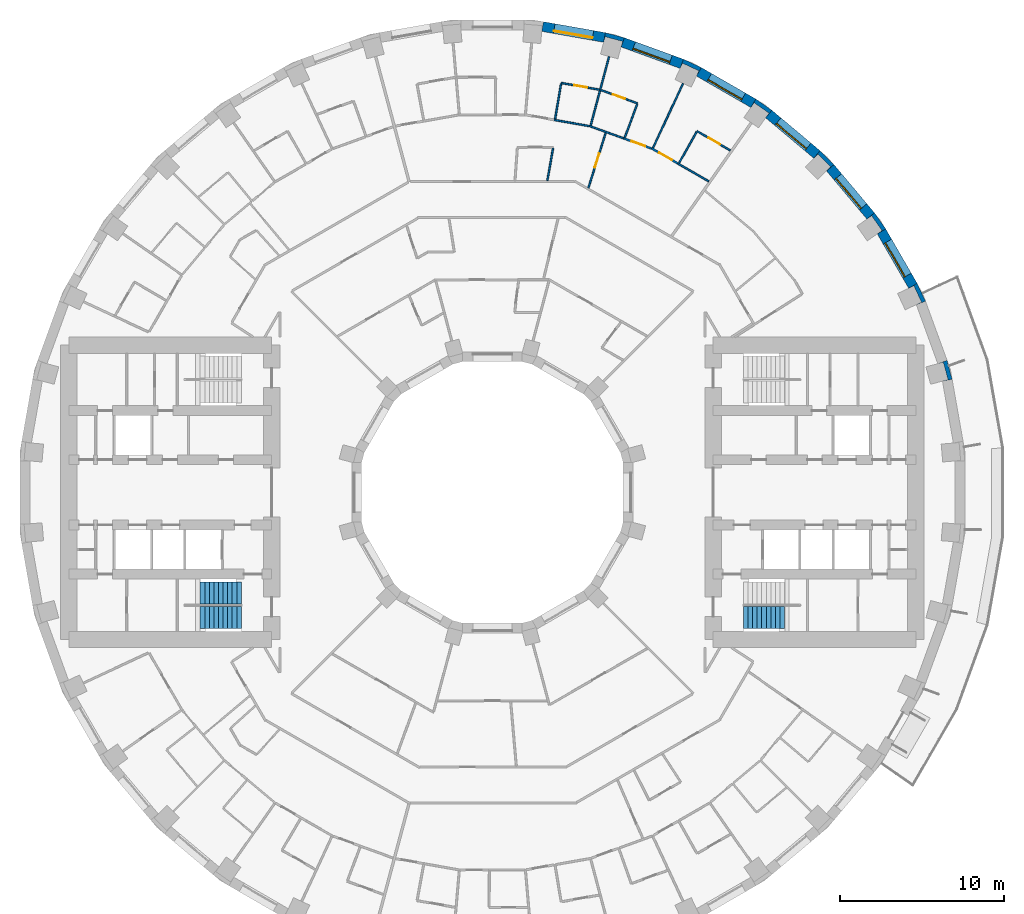
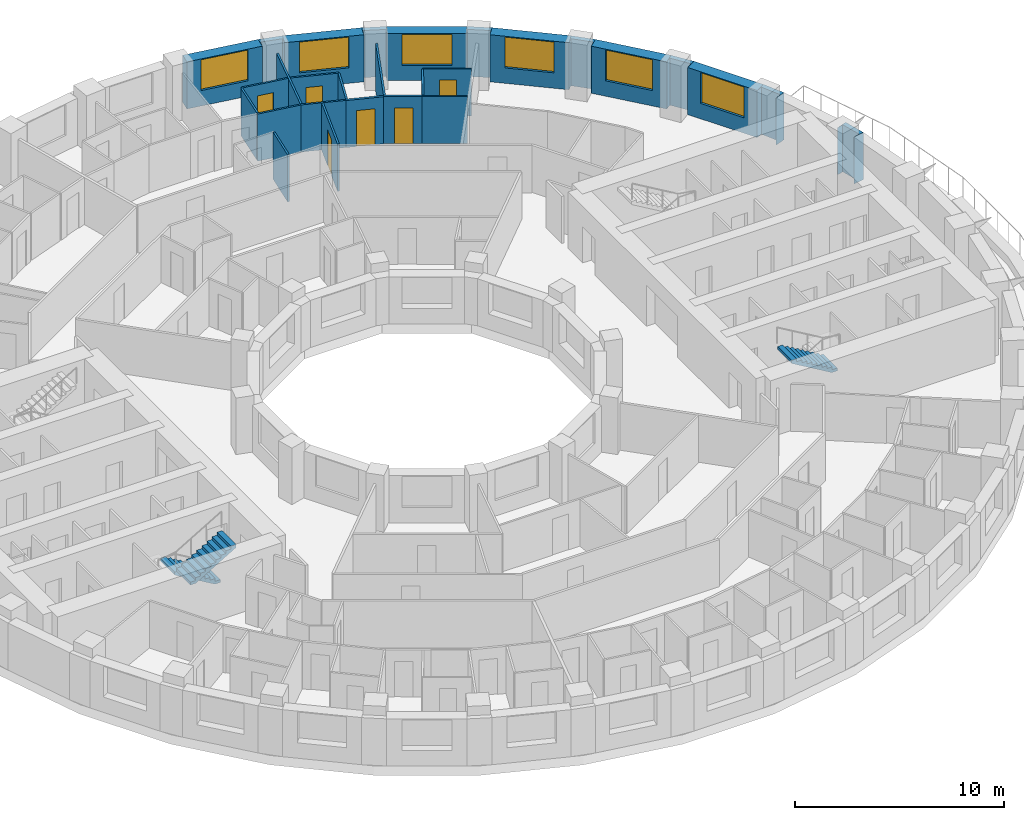
# One storey, part 12 of 14: 28 walls, 6 doors, 6 windows, 3 stair flights, 12 openings, 2 elements without a shape of their own.
"""IFC4 building model written with IfcOpenShell, lengths in metres."""

from ifc_helpers import new_model, si_unit, direction, frame, frame_2d, origin, place, context, subcontext, project, spatial, polyline, rectangle, outline, extrude, material, layer, layer_set, type_object, element, fill, aggregate, save


model = new_model("IFC4")

# Units and contexts
model_context = context("Model", 3, precision=1e-05, world=origin(), true_north=direction((0.0, 1.0)))
body_context = subcontext(model_context, "Body", "Model", "MODEL_VIEW")
ifc_project = project(units=[si_unit("LENGTHUNIT", "METRE"), si_unit("AREAUNIT", "SQUARE_METRE"), si_unit("VOLUMEUNIT", "CUBIC_METRE"), si_unit("PLANEANGLEUNIT", "RADIAN"), si_unit("MASSUNIT", "GRAM", prefix="KILO")], contexts=[model_context])

# Site, building, storey
site_placement = place(None, origin())
site = spatial("IfcSite", under=ifc_project, at=site_placement, CompositionType="ELEMENT")
building_placement = place(site_placement, origin())
building = spatial("IfcBuilding", under=site, at=building_placement, Name="Saqina Gate Tower", CompositionType="ELEMENT")
storey_placement = place(building_placement, frame((0.0, 0.0, 49.39990234375)))
storey = spatial("IfcBuildingStorey", under=building, at=storey_placement, Name="L13", CompositionType="ELEMENT", Elevation=49.39990234375)

# Walls
ifc_material_1 = material(Name="Brick masonry (red)", Category="masonry")
wall_type_1 = type_object("IfcWallType", Name="BRICK PIER COPING RED", PredefinedType="SOLIDWALL", material=ifc_material_1)
wall_1_placement = place(storey_placement, origin())
element("IfcWall", 1, at=wall_1_placement, inside=storey, type_object=wall_type_1, Name="Pier cap L13 column 2", PredefinedType="SOLIDWALL", context=body_context, shape_type="SweptSolid", body=[
    extrude(outline(polyline([(28.11669921875, 6.910400390625), (27.80517578125, 8.073974609375), (27.2412109375, 7.86865234375), (27.57958984375, 7.95947265625), (27.864501953125, 6.896728515625), (27.52587890625, 6.80615234375), (28.11669921875, 6.910400390625)])), origin(), (0.0, 0.0, 1.0), 2.75),
])
wall_2_placement = place(storey_placement, origin())
element("IfcWall", 2, at=wall_2_placement, inside=storey, type_object=wall_type_1, Name="Pier cap L13 column 3", PredefinedType="SOLIDWALL", context=body_context, shape_type="SweptSolid", body=[
    extrude(outline(polyline([(25.980712890625, 12.779541015625), (25.4609375, 12.4794921875), (25.778564453125, 12.627685546875), (26.243408203125, 11.630615234375), (25.92578125, 11.482666015625), (26.48974609375, 11.687744140625), (25.980712890625, 12.779541015625)])), origin(), (0.0, 0.0, 1.0), 2.75),
])
wall_3_placement = place(storey_placement, origin())
element("IfcWall", 3, at=wall_3_placement, inside=storey, type_object=wall_type_1, Name="Pier cap L13 column 4", PredefinedType="SOLIDWALL", context=body_context, shape_type="SweptSolid", body=[
    extrude(outline(polyline([(24.0576171875, 16.110107421875), (23.36669921875, 17.096923828125), (22.9072265625, 16.711181640625), (23.194091796875, 16.912109375), (23.8251953125, 16.010986328125), (23.5380859375, 15.81005859375), (24.0576171875, 16.110107421875)])), origin(), (0.0, 0.0, 1.0), 2.75),
])
wall_4_placement = place(storey_placement, origin())
element("IfcWall", 4, at=wall_4_placement, inside=storey, type_object=wall_type_1, Name="Pier cap L13 column 5", PredefinedType="SOLIDWALL", context=body_context, shape_type="SweptSolid", body=[
    extrude(outline(polyline([(20.04296875, 20.894775390625), (19.6572265625, 20.43505859375), (19.905029296875, 20.682861328125), (20.682861328125, 19.905029296875), (20.43505859375, 19.6572265625), (20.894775390625, 20.04296875), (20.04296875, 20.894775390625)])), origin(), (0.0, 0.0, 1.0), 2.75),
])
wall_5_placement = place(storey_placement, origin())
element("IfcWall", 5, at=wall_5_placement, inside=storey, type_object=wall_type_1, Name="Pier cap L13 column 6", PredefinedType="SOLIDWALL", context=body_context, shape_type="SweptSolid", body=[
    extrude(outline(polyline([(17.096923828125, 23.36669921875), (16.110107421875, 24.0576171875), (15.81005859375, 23.5380859375), (16.010986328125, 23.8251953125), (16.912109375, 23.194091796875), (16.711181640625, 22.9072265625), (17.096923828125, 23.36669921875)])), origin(), (0.0, 0.0, 1.0), 2.75),
])
wall_6_placement = place(storey_placement, origin())
element("IfcWall", 6, at=wall_6_placement, inside=storey, type_object=wall_type_1, Name="Pier cap L13 column 7", PredefinedType="SOLIDWALL", context=body_context, shape_type="SweptSolid", body=[
    extrude(outline(polyline([(11.687744140625, 26.48974609375), (11.482666015625, 25.92578125), (11.630615234375, 26.243408203125), (12.627685546875, 25.778564453125), (12.4794921875, 25.4609375), (12.779541015625, 25.980712890625), (11.687744140625, 26.48974609375)])), origin(), (0.0, 0.0, 1.0), 2.75),
])
wall_7_placement = place(storey_placement, origin())
element("IfcWall", 7, at=wall_7_placement, inside=storey, type_object=wall_type_1, Name="Pier cap L13 column 8", PredefinedType="SOLIDWALL", context=body_context, shape_type="SweptSolid", body=[
    extrude(outline(polyline([(6.910400390625, 28.11669921875), (6.80615234375, 27.52587890625), (6.896728515625, 27.864501953125), (7.95947265625, 27.57958984375), (7.86865234375, 27.2412109375), (8.073974609375, 27.80517578125), (6.910400390625, 28.11669921875)])), origin(), (0.0, 0.0, 1.0), 2.75),
])

# Wall, opening, window
ifc_material_2 = material(Name="Brick masonry (red)", Category="masonry")
ifc_layer_1 = layer(ifc_material_2, 0.60009765625)
ifc_layer_set_1 = layer_set([ifc_layer_1], Name="FW-BRICK-RED")
wall_type_2 = type_object("IfcWallType", Name="FW-BRICK-RED", PredefinedType="SOLIDWALL", material=ifc_layer_set_1)
wall_8_placement = place(storey_placement, frame((25.720703125, 12.629638671875, 0.0), z_axis=(0.0, 0.0, 1.0), x_axis=(-0.499989888488, 0.86603124159, 0.0)))
wall_8 = element("IfcWall", 8, at=wall_8_placement, inside=storey, type_object=wall_type_2, Name="Facade wall L13 facet 3", PredefinedType="SOLIDWALL", context=body_context, shape_type="SweptSolid", body=[
    extrude(rectangle(XDim=3.845703125, YDim=0.60009765625, at=frame_2d((1.9228515625, 0.0))), origin(), (0.0, 0.0, 1.0), 2.75),
])
opening_1_placement = place(wall_8_placement, frame((0.722900390625, 0.0, 0.89990234375)))
opening_1 = element("IfcOpeningElement", 9, at=opening_1_placement, cuts=wall_8, Name="Opening G03-W01", PredefinedType="OPENING", context=body_context, shape_type="SweptSolid", body=[
    extrude(rectangle(XDim=2.39990234375, YDim=1.800048828125, at=frame_2d((1.199951171875, 0.89990234375))), frame((0.0, 0.31201171875, 0.0), z_axis=(0.0, -1.0, 0.0), x_axis=(1.0, 0.0, 0.0)), (0.0, 0.0, 1.0), 0.6240234375),
])
ifc_material_3 = material(Name="Aluminium glazing", Category="aluminium")
window_type = type_object("IfcWindowType", Name="WN-A", PartitioningType="SINGLE_PANEL", PredefinedType="WINDOW", material=ifc_material_3)
window_1_placement = place(opening_1_placement, origin())
window_1 = element("IfcWindow", 10, at=window_1_placement, inside=storey, type_object=window_type, Name="Window L13 facet 3", OverallHeight=1.800048828125, OverallWidth=2.39990234375, PartitioningType="SINGLE_PANEL", PredefinedType="WINDOW", context=body_context, shape_type="SweptSolid", body=[
    extrude(rectangle(XDim=2.39990234375, YDim=1.800048828125, at=frame_2d((1.199951171875, 0.89990234375))), frame((0.0, 0.179931640625, 0.0), z_axis=(0.0, -1.0, 0.0), x_axis=(1.0, 0.0, 0.0)), (0.0, 0.0, 1.0), 0.06005859375),
])
fill(opening_1, window_1)

wall_9_placement = place(storey_placement, frame((23.136962890625, 16.904052734375, 0.0), z_axis=(0.0, 0.0, 1.0), x_axis=(-0.642809392687, 0.766026164483, 0.0)))
wall_9 = element("IfcWall", 11, at=wall_9_placement, inside=storey, type_object=wall_type_2, Name="Facade wall L13 facet 4", PredefinedType="SOLIDWALL", context=body_context, shape_type="SweptSolid", body=[
    extrude(rectangle(XDim=3.845947265625, YDim=0.60009765625, at=frame_2d((1.9228515625, 0.0))), origin(), (0.0, 0.0, 1.0), 2.75),
])
opening_2_placement = place(wall_9_placement, frame((0.722900390625, 0.0, 0.89990234375)))
opening_2 = element("IfcOpeningElement", 12, at=opening_2_placement, cuts=wall_9, Name="Opening G03-W02", PredefinedType="OPENING", context=body_context, shape_type="SweptSolid", body=[
    extrude(rectangle(XDim=2.39990234375, YDim=1.800048828125, at=frame_2d((1.199951171875, 0.89990234375))), frame((0.0, 0.31201171875, 0.0), z_axis=(0.0, -1.0, 0.0), x_axis=(1.0, 0.0, 0.0)), (0.0, 0.0, 1.0), 0.6240234375),
])
window_2_placement = place(opening_2_placement, origin())
window_2 = element("IfcWindow", 13, at=window_2_placement, inside=storey, type_object=window_type, Name="Window L13 facet 4", OverallHeight=1.800048828125, OverallWidth=2.39990234375, PartitioningType="SINGLE_PANEL", PredefinedType="WINDOW", context=body_context, shape_type="SweptSolid", body=[
    extrude(rectangle(XDim=2.39990234375, YDim=1.800048828125, at=frame_2d((1.199951171875, 0.89990234375))), frame((0.0, 0.179931640625, 0.0), z_axis=(0.0, -1.0, 0.0), x_axis=(1.0, 0.0, 0.0)), (0.0, 0.0, 1.0), 0.06005859375),
])
fill(opening_2, window_2)

wall_10_placement = place(storey_placement, frame((19.85009765625, 20.664794921875, 0.0), z_axis=(0.0, 0.0, 1.0), x_axis=(-0.766026164483, 0.642809392687, 0.0)))
wall_10 = element("IfcWall", 14, at=wall_10_placement, inside=storey, type_object=wall_type_2, Name="Facade wall L13 facet 5", PredefinedType="SOLIDWALL", context=body_context, shape_type="SweptSolid", body=[
    extrude(rectangle(XDim=3.845947265625, YDim=0.60009765625, at=frame_2d((1.9228515625, 0.0))), origin(), (0.0, 0.0, 1.0), 2.75),
])
opening_3_placement = place(wall_10_placement, frame((0.722900390625, 0.0, 0.89990234375)))
opening_3 = element("IfcOpeningElement", 15, at=opening_3_placement, cuts=wall_10, Name="Opening G03-W03", PredefinedType="OPENING", context=body_context, shape_type="SweptSolid", body=[
    extrude(rectangle(XDim=2.39990234375, YDim=1.800048828125, at=frame_2d((1.199951171875, 0.89990234375))), frame((0.0, 0.31201171875, 0.0), z_axis=(0.0, -1.0, 0.0), x_axis=(1.0, 0.0, 0.0)), (0.0, 0.0, 1.0), 0.6240234375),
])
window_3_placement = place(opening_3_placement, origin())
window_3 = element("IfcWindow", 16, at=window_3_placement, inside=storey, type_object=window_type, Name="Window L13 facet 5", OverallHeight=1.800048828125, OverallWidth=2.39990234375, PartitioningType="SINGLE_PANEL", PredefinedType="WINDOW", context=body_context, shape_type="SweptSolid", body=[
    extrude(rectangle(XDim=2.39990234375, YDim=1.800048828125, at=frame_2d((1.199951171875, 0.89990234375))), frame((0.0, 0.179931640625, 0.0), z_axis=(0.0, -1.0, 0.0), x_axis=(1.0, 0.0, 0.0)), (0.0, 0.0, 1.0), 0.06005859375),
])
fill(opening_3, window_3)

wall_11_placement = place(storey_placement, frame((15.960205078125, 23.7978515625, 0.0), z_axis=(0.0, 0.0, 1.0), x_axis=(-0.86603124159, 0.499989888488, 0.0)))
wall_11 = element("IfcWall", 17, at=wall_11_placement, inside=storey, type_object=wall_type_2, Name="Facade wall L13 facet 6", PredefinedType="SOLIDWALL", context=body_context, shape_type="SweptSolid", body=[
    extrude(rectangle(XDim=3.845703125, YDim=0.60009765625, at=frame_2d((1.9228515625, 0.0))), origin(), (0.0, 0.0, 1.0), 2.75),
])
opening_4_placement = place(wall_11_placement, frame((0.722900390625, 0.0, 0.89990234375)))
opening_4 = element("IfcOpeningElement", 18, at=opening_4_placement, cuts=wall_11, Name="Opening G03-W04", PredefinedType="OPENING", context=body_context, shape_type="SweptSolid", body=[
    extrude(rectangle(XDim=2.39990234375, YDim=1.800048828125, at=frame_2d((1.199951171875, 0.89990234375))), frame((0.0, 0.31201171875, 0.0), z_axis=(0.0, -1.0, 0.0), x_axis=(1.0, 0.0, 0.0)), (0.0, 0.0, 1.0), 0.6240234375),
])
window_4_placement = place(opening_4_placement, origin())
window_4 = element("IfcWindow", 19, at=window_4_placement, inside=storey, type_object=window_type, Name="Window L13 facet 6", OverallHeight=1.800048828125, OverallWidth=2.39990234375, PartitioningType="SINGLE_PANEL", PredefinedType="WINDOW", context=body_context, shape_type="SweptSolid", body=[
    extrude(rectangle(XDim=2.39990234375, YDim=1.800048828125, at=frame_2d((1.199951171875, 0.89990234375))), frame((0.0, 0.179931640625, 0.0), z_axis=(0.0, -1.0, 0.0), x_axis=(1.0, 0.0, 0.0)), (0.0, 0.0, 1.0), 0.06005859375),
])
fill(opening_4, window_4)

wall_12_placement = place(storey_placement, frame((11.585205078125, 26.207763671875, 0.0), z_axis=(0.0, 0.0, 1.0), x_axis=(-0.939689588564, 0.342028474173, 0.0)))
wall_12 = element("IfcWall", 20, at=wall_12_placement, inside=storey, type_object=wall_type_2, Name="Facade wall L13 facet 7", PredefinedType="SOLIDWALL", context=body_context, shape_type="SweptSolid", body=[
    extrude(rectangle(XDim=3.845947265625, YDim=0.60009765625, at=frame_2d((1.9228515625, 0.0))), origin(), (0.0, 0.0, 1.0), 2.75),
])
opening_5_placement = place(wall_12_placement, frame((0.722900390625, 0.0, 0.89990234375)))
opening_5 = element("IfcOpeningElement", 21, at=opening_5_placement, cuts=wall_12, Name="Opening G03-W05", PredefinedType="OPENING", context=body_context, shape_type="SweptSolid", body=[
    extrude(rectangle(XDim=2.39990234375, YDim=1.800048828125, at=frame_2d((1.199951171875, 0.89990234375))), frame((0.0, 0.31201171875, 0.0), z_axis=(0.0, -1.0, 0.0), x_axis=(1.0, 0.0, 0.0)), (0.0, 0.0, 1.0), 0.6240234375),
])
window_5_placement = place(opening_5_placement, origin())
window_5 = element("IfcWindow", 22, at=window_5_placement, inside=storey, type_object=window_type, Name="Window L13 facet 7", OverallHeight=1.800048828125, OverallWidth=2.39990234375, PartitioningType="SINGLE_PANEL", PredefinedType="WINDOW", context=body_context, shape_type="SweptSolid", body=[
    extrude(rectangle(XDim=2.39990234375, YDim=1.800048828125, at=frame_2d((1.199951171875, 0.89990234375))), frame((0.0, 0.179931640625, 0.0), z_axis=(0.0, -1.0, 0.0), x_axis=(1.0, 0.0, 0.0)), (0.0, 0.0, 1.0), 0.06005859375),
])
fill(opening_5, window_5)

wall_13_placement = place(storey_placement, frame((6.858154296875, 27.8212890625, 0.0), z_axis=(0.0, 0.0, 1.0), x_axis=(-0.984800809218, 0.173687553279, 0.0)))
wall_13 = element("IfcWall", 23, at=wall_13_placement, inside=storey, type_object=wall_type_2, Name="Facade wall L13 facet 8", PredefinedType="SOLIDWALL", context=body_context, shape_type="SweptSolid", body=[
    extrude(rectangle(XDim=3.845703125, YDim=0.60009765625, at=frame_2d((1.9228515625, 0.0))), origin(), (0.0, 0.0, 1.0), 2.75),
])
opening_6_placement = place(wall_13_placement, frame((0.722900390625, 0.0, 0.89990234375)))
opening_6 = element("IfcOpeningElement", 24, at=opening_6_placement, cuts=wall_13, Name="Opening G03-W06", PredefinedType="OPENING", context=body_context, shape_type="SweptSolid", body=[
    extrude(rectangle(XDim=2.39990234375, YDim=1.800048828125, at=frame_2d((1.199951171875, 0.89990234375))), frame((0.0, 0.31201171875, 0.0), z_axis=(0.0, -1.0, 0.0), x_axis=(1.0, 0.0, 0.0)), (0.0, 0.0, 1.0), 0.6240234375),
])
window_6_placement = place(opening_6_placement, origin())
window_6 = element("IfcWindow", 25, at=window_6_placement, inside=storey, type_object=window_type, Name="Window L13 facet 8", OverallHeight=1.800048828125, OverallWidth=2.39990234375, PartitioningType="SINGLE_PANEL", PredefinedType="WINDOW", context=body_context, shape_type="SweptSolid", body=[
    extrude(rectangle(XDim=2.39990234375, YDim=1.800048828125, at=frame_2d((1.199951171875, 0.89990234375))), frame((0.0, 0.179931640625, 0.0), z_axis=(0.0, -1.0, 0.0), x_axis=(1.0, 0.0, 0.0)), (0.0, 0.0, 1.0), 0.06005859375),
])
fill(opening_6, window_6)

# Wall
ifc_material_4 = material(Name="Gypsum board on steel studs, 100 mm", Category="steel")
ifc_layer_2 = layer(ifc_material_4, 0.10009765625)
ifc_layer_set_2 = layer_set([ifc_layer_2], Name="PARTITION 100")
wall_type_3 = type_object("IfcWallType", Name="PARTITION 100", PredefinedType="PARTITIONING", material=ifc_layer_set_2)
wall_14_placement = place(storey_placement, frame((11.341796875, 20.114013671875, 0.0), z_axis=(0.0, 0.0, 1.0), x_axis=(0.865827333674, -0.500342910675, 0.0)))
element("IfcWall", 26, at=wall_14_placement, inside=storey, type_object=wall_type_3, Name="PARTITION PW3-50", PredefinedType="PARTITIONING", context=body_context, shape_type="SweptSolid", body=[
    extrude(rectangle(XDim=2.1796875, YDim=0.10009765625, at=frame_2d((1.08984375, 0.0))), origin(), (0.0, 0.0, 1.0), 2.75),
])

# Wall, opening, door
wall_15_placement = place(storey_placement, frame((12.51904296875, 22.090087890625, 0.0), z_axis=(0.0, 0.0, 1.0), x_axis=(0.865796038429, -0.500397062182, 0.0)))
wall_15 = element("IfcWall", 27, at=wall_15_placement, inside=storey, type_object=wall_type_3, Name="PARTITION PW3-51", PredefinedType="PARTITIONING", context=body_context, shape_type="SweptSolid", body=[
    extrude(rectangle(XDim=2.34912109375, YDim=0.10009765625, at=frame_2d((1.174560546875, 0.0))), origin(), (0.0, 0.0, 1.0), 2.75),
])
opening_7_placement = place(wall_15_placement, frame((0.81201171875, 0.0, 0.0)))
opening_7 = element("IfcOpeningElement", 28, at=opening_7_placement, cuts=wall_15, Name="Opening G03-D05", PredefinedType="OPENING", context=body_context, shape_type="SweptSolid", body=[
    extrude(rectangle(XDim=0.800048828125, YDim=2.10009765625, at=frame_2d((0.39990234375, 1.050048828125))), frame((0.0, 0.06201171875, 0.0), z_axis=(0.0, -1.0, 0.0), x_axis=(1.0, 0.0, 0.0)), (0.0, 0.0, 1.0), 0.1240234375),
])
ifc_material_5 = material(Name="Timber door leaf, 800 mm", Category="wood")
door_type_1 = type_object("IfcDoorType", Name="DOOR 800 TIMBER", OperationType="SINGLE_SWING_LEFT", PredefinedType="DOOR", material=ifc_material_5)
door_1_placement = place(opening_7_placement, origin())
door_1 = element("IfcDoor", 29, at=door_1_placement, inside=storey, type_object=door_type_1, Name="DOOR G03-D05", OperationType="SINGLE_SWING_RIGHT", OverallHeight=2.10009765625, OverallWidth=0.800048828125, PredefinedType="DOOR", context=body_context, shape_type="SweptSolid", body=[
    extrude(rectangle(XDim=0.800048828125, YDim=2.10009765625, at=frame_2d((0.39990234375, 1.050048828125))), frame((0.0, 0.02490234375, 0.0), z_axis=(0.0, -1.0, 0.0), x_axis=(1.0, 0.0, 0.0)), (0.0, 0.0, 1.0), 0.050048828125),
])
fill(opening_7, door_1)

# Wall
wall_16_placement = place(storey_placement, frame((5.951171875, 22.4052734375, 0.0), z_axis=(0.0, 0.0, 1.0), x_axis=(0.939715397741, -0.341957557671, 0.0)))
element("IfcWall", 30, at=wall_16_placement, inside=storey, type_object=wall_type_3, Name="PARTITION PW3-55", PredefinedType="PARTITIONING", context=body_context, shape_type="SweptSolid", body=[
    extrude(rectangle(XDim=2.193359375, YDim=0.10009765625, at=frame_2d((1.0966796875, 0.0))), origin(), (0.0, 0.0, 1.0), 2.75),
])

# Wall, opening, door
wall_17_placement = place(storey_placement, frame((6.64306640625, 24.600830078125, 0.0), z_axis=(0.0, 0.0, 1.0), x_axis=(0.939772412057, -0.341800838995, 0.0)))
wall_17 = element("IfcWall", 31, at=wall_17_placement, inside=storey, type_object=wall_type_3, Name="PARTITION PW3-56", PredefinedType="PARTITIONING", context=body_context, shape_type="SweptSolid", body=[
    extrude(rectangle(XDim=2.375, YDim=0.10009765625, at=frame_2d((1.1875, 0.0))), origin(), (0.0, 0.0, 1.0), 2.75),
])
opening_8_placement = place(wall_17_placement, frame((0.762451171875, 0.0, 0.0)))
opening_8 = element("IfcOpeningElement", 32, at=opening_8_placement, cuts=wall_17, Name="Opening G03-D09", PredefinedType="OPENING", context=body_context, shape_type="SweptSolid", body=[
    extrude(rectangle(XDim=0.800048828125, YDim=2.10009765625, at=frame_2d((0.39990234375, 1.050048828125))), frame((0.0, 0.06201171875, 0.0), z_axis=(0.0, -1.0, 0.0), x_axis=(1.0, 0.0, 0.0)), (0.0, 0.0, 1.0), 0.1240234375),
])
door_2_placement = place(opening_8_placement, origin())
door_2 = element("IfcDoor", 33, at=door_2_placement, inside=storey, type_object=door_type_1, Name="DOOR G03-D09", OperationType="SINGLE_SWING_LEFT", OverallHeight=2.10009765625, OverallWidth=0.800048828125, PredefinedType="DOOR", context=body_context, shape_type="SweptSolid", body=[
    extrude(rectangle(XDim=0.800048828125, YDim=2.10009765625, at=frame_2d((0.39990234375, 1.050048828125))), frame((0.0, 0.02490234375, 0.0), z_axis=(0.0, -1.0, 0.0), x_axis=(1.0, 0.0, 0.0)), (0.0, 0.0, 1.0), 0.050048828125),
])
fill(opening_8, door_2)

# Wall
wall_18_placement = place(storey_placement, frame((3.77783203125, 22.77978515625, 0.0), z_axis=(0.0, 0.0, 1.0), x_axis=(0.984800270927, -0.173690605338, 0.0)))
element("IfcWall", 34, at=wall_18_placement, inside=storey, type_object=wall_type_3, Name="PARTITION PW3-59", PredefinedType="PARTITIONING", context=body_context, shape_type="SweptSolid", body=[
    extrude(rectangle(XDim=2.205322265625, YDim=0.10009765625, at=frame_2d((1.1025390625, 0.0))), origin(), (0.0, 0.0, 1.0), 2.75),
])

# Wall, opening, door
wall_19_placement = place(storey_placement, frame((4.2080078125, 25.0390625, 0.0), z_axis=(0.0, 0.0, 1.0), x_axis=(0.984811488016, -0.173626994077, 0.0)))
wall_19 = element("IfcWall", 35, at=wall_19_placement, inside=storey, type_object=wall_type_3, Name="PARTITION PW3-60", PredefinedType="PARTITIONING", context=body_context, shape_type="SweptSolid", body=[
    extrude(rectangle(XDim=2.375, YDim=0.10009765625, at=frame_2d((1.1875, 0.0))), origin(), (0.0, 0.0, 1.0), 2.75),
])
opening_9_placement = place(wall_19_placement, frame((0.8125, 0.0, 0.0)))
opening_9 = element("IfcOpeningElement", 36, at=opening_9_placement, cuts=wall_19, Name="Opening G03-D12", PredefinedType="OPENING", context=body_context, shape_type="SweptSolid", body=[
    extrude(rectangle(XDim=0.800048828125, YDim=2.10009765625, at=frame_2d((0.39990234375, 1.050048828125))), frame((0.0, 0.06201171875, 0.0), z_axis=(0.0, -1.0, 0.0), x_axis=(1.0, 0.0, 0.0)), (0.0, 0.0, 1.0), 0.1240234375),
])
door_3_placement = place(opening_9_placement, origin())
door_3 = element("IfcDoor", 37, at=door_3_placement, inside=storey, type_object=door_type_1, Name="DOOR G03-D12", OperationType="SINGLE_SWING_RIGHT", OverallHeight=2.10009765625, OverallWidth=0.800048828125, PredefinedType="DOOR", context=body_context, shape_type="SweptSolid", body=[
    extrude(rectangle(XDim=0.800048828125, YDim=2.10009765625, at=frame_2d((0.39990234375, 1.050048828125))), frame((0.0, 0.02490234375, 0.0), z_axis=(0.0, -1.0, 0.0), x_axis=(1.0, 0.0, 0.0)), (0.0, 0.0, 1.0), 0.050048828125),
])
fill(opening_9, door_3)

# Walls
wall_20_placement = place(storey_placement, frame((11.415771484375, 20.143310546875, 0.0), z_axis=(0.0, 0.0, 1.0), x_axis=(0.493082970536, 0.869982289571, 0.0)))
element("IfcWall", 38, at=wall_20_placement, inside=storey, type_object=wall_type_3, Name="PARTITION PW3-111", PredefinedType="PARTITIONING", context=body_context, shape_type="SweptSolid", body=[
    extrude(rectangle(XDim=2.1875, YDim=0.10009765625, at=frame_2d((1.09375, 0.0))), origin(), (0.0, 0.0, 1.0), 2.75),
])
wall_21_placement = place(storey_placement, frame((9.821533203125, 21.062744140625, 0.0), z_axis=(0.0, 0.0, 1.0), x_axis=(0.422575107016, 0.906327909164, 0.0)))
element("IfcWall", 39, at=wall_21_placement, inside=storey, type_object=wall_type_3, Name="PARTITION PW3-113", PredefinedType="PARTITIONING", context=body_context, shape_type="SweptSolid", body=[
    extrude(rectangle(XDim=4.349853515625, YDim=0.10009765625, at=frame_2d((2.1748046875, 0.0))), origin(), (0.0, 0.0, 1.0), 2.75),
])
wall_22_placement = place(storey_placement, frame((8.0927734375, 21.692626953125, 0.0), z_axis=(0.0, 0.0, 1.0), x_axis=(0.349545192277, 0.936919504843, 0.0)))
element("IfcWall", 40, at=wall_22_placement, inside=storey, type_object=wall_type_3, Name="PARTITION PW3-115", PredefinedType="PARTITIONING", context=body_context, shape_type="SweptSolid", body=[
    extrude(rectangle(XDim=2.1875, YDim=0.10009765625, at=frame_2d((1.09375, 0.0))), origin(), (0.0, 0.0, 1.0), 2.75),
])

# Wall, opening, door
wall_23_placement = place(storey_placement, frame((5.870849609375, 18.62060546875, 0.0), z_axis=(0.0, 0.0, 1.0), x_axis=(0.300843987317, 0.953673369291, 0.0)))
wall_23 = element("IfcWall", 41, at=wall_23_placement, inside=storey, type_object=wall_type_3, Name="PARTITION PW3-117", PredefinedType="PARTITIONING", context=body_context, shape_type="SweptSolid", body=[
    extrude(rectangle(XDim=3.537353515625, YDim=0.10009765625, at=frame_2d((1.7685546875, 0.0))), origin(), (0.0, 0.0, 1.0), 2.75),
])
opening_10_placement = place(wall_23_placement, frame((1.3125, 0.0, 0.0)))
opening_10 = element("IfcOpeningElement", 42, at=opening_10_placement, cuts=wall_23, Name="Opening G03-D10", PredefinedType="OPENING", context=body_context, shape_type="SweptSolid", body=[
    extrude(rectangle(XDim=0.89990234375, YDim=2.10009765625, at=frame_2d((0.449951171875, 1.050048828125))), frame((0.0, 0.06201171875, 0.0), z_axis=(0.0, -1.0, 0.0), x_axis=(1.0, 0.0, 0.0)), (0.0, 0.0, 1.0), 0.1240234375),
])
ifc_material_6 = material(Name="Timber door leaf, 900 mm", Category="wood")
door_type_2 = type_object("IfcDoorType", Name="DOOR 900 TIMBER", OperationType="SINGLE_SWING_LEFT", PredefinedType="DOOR", material=ifc_material_6)
door_4_placement = place(opening_10_placement, origin())
door_4 = element("IfcDoor", 43, at=door_4_placement, inside=storey, type_object=door_type_2, Name="DOOR G03-D10", OperationType="SINGLE_SWING_LEFT", OverallHeight=2.10009765625, OverallWidth=0.89990234375, PredefinedType="DOOR", context=body_context, shape_type="SweptSolid", body=[
    extrude(rectangle(XDim=0.89990234375, YDim=2.10009765625, at=frame_2d((0.449951171875, 1.050048828125))), frame((0.0, 0.02490234375, 0.0), z_axis=(0.0, -1.0, 0.0), x_axis=(1.0, 0.0, 0.0)), (0.0, 0.0, 1.0), 0.050048828125),
])
fill(opening_10, door_4)

# Walls
wall_24_placement = place(storey_placement, frame((6.011962890625, 22.436279296875, 0.0), z_axis=(0.0, 0.0, 1.0), x_axis=(0.258174675421, 0.966098254305, 0.0)))
element("IfcWall", 44, at=wall_24_placement, inside=storey, type_object=wall_type_3, Name="PARTITION PW3-120", PredefinedType="PARTITIONING", context=body_context, shape_type="SweptSolid", body=[
    extrude(rectangle(XDim=4.3623046875, YDim=0.10009765625, at=frame_2d((2.18115234375, 0.0))), origin(), (0.0, 0.0, 1.0), 2.75),
])
wall_25_placement = place(storey_placement, frame((3.36083984375, 19.0615234375, 0.0), z_axis=(0.0, 0.0, 1.0), x_axis=(0.173564686846, 0.984822471047, 0.0)))
element("IfcWall", 45, at=wall_25_placement, inside=storey, type_object=wall_type_3, Name="PARTITION PW3-123", PredefinedType="PARTITIONING", context=body_context, shape_type="SweptSolid", body=[
    extrude(rectangle(XDim=2.02001953125, YDim=0.10009765625, at=frame_2d((1.010009765625, 0.0))), origin(), (0.0, 0.0, 1.0), 2.75),
])
wall_26_placement = place(storey_placement, frame((3.83740234375, 22.83251953125, 0.0), z_axis=(0.0, 0.0, 1.0), x_axis=(0.165629588415, 0.986188034526, 0.0)))
element("IfcWall", 46, at=wall_26_placement, inside=storey, type_object=wall_type_3, Name="PARTITION PW3-124", PredefinedType="PARTITIONING", context=body_context, shape_type="SweptSolid", body=[
    extrude(rectangle(XDim=2.1875, YDim=0.10009765625, at=frame_2d((1.09375, 0.0))), origin(), (0.0, 0.0, 1.0), 2.75),
])

# Wall, opening, door
ifc_material_7 = material(Name="Gypsum board on steel studs, 125 mm, fire rated", Category="steel")
ifc_layer_3 = layer(ifc_material_7, 0.125)
ifc_layer_set_3 = layer_set([ifc_layer_3], Name="PARTITION EI 30 125")
wall_type_4 = type_object("IfcWallType", Name="PARTITION EI 30 125", PredefinedType="PARTITIONING", material=ifc_layer_set_3)
wall_27_placement = place(storey_placement, frame((9.739990234375, 21.03759765625, 0.0), z_axis=(0.0, 0.0, 1.0), x_axis=(0.866310857082, -0.499505254129, 0.0)))
wall_27 = element("IfcWall", 47, at=wall_27_placement, inside=storey, type_object=wall_type_4, Name="PARTITION PW1-18", PredefinedType="PARTITIONING", context=body_context, shape_type="SweptSolid", body=[
    extrude(rectangle(XDim=1.848876953125, YDim=0.125, at=frame_2d((0.92431640625, 0.0))), origin(), (0.0, 0.0, 1.0), 2.75),
])
opening_11_placement = place(wall_27_placement, frame((0.53125, 0.0, 0.0)))
opening_11 = element("IfcOpeningElement", 48, at=opening_11_placement, cuts=wall_27, Name="Opening G03-D06", PredefinedType="OPENING", context=body_context, shape_type="SweptSolid", body=[
    extrude(rectangle(XDim=0.89990234375, YDim=2.10009765625, at=frame_2d((0.449951171875, 1.050048828125))), frame((0.0, 0.074462890625, 0.0), z_axis=(0.0, -1.0, 0.0), x_axis=(1.0, 0.0, 0.0)), (0.0, 0.0, 1.0), 0.14892578125),
])
ifc_material_8 = material(Name="Fire door leaf EI 30, 900 mm")
door_type_3 = type_object("IfcDoorType", Name="DOOR 900 EI 30", OperationType="SINGLE_SWING_LEFT", PredefinedType="DOOR", material=ifc_material_8)
door_5_placement = place(opening_11_placement, frame((0.89990234375, 0.0, 0.0), z_axis=(0.0, 0.0, 1.0), x_axis=(-1.0, 0.0, 0.0)))
door_5 = element("IfcDoor", 49, at=door_5_placement, inside=storey, type_object=door_type_3, Name="DOOR G03-D06", OperationType="SINGLE_SWING_RIGHT", OverallHeight=2.10009765625, OverallWidth=0.89990234375, PredefinedType="DOOR", context=body_context, shape_type="SweptSolid", body=[
    extrude(rectangle(XDim=0.89990234375, YDim=2.10009765625, at=frame_2d((0.449951171875, 1.050048828125))), frame((0.0, 0.02490234375, 0.0), z_axis=(0.0, -1.0, 0.0), x_axis=(1.0, 0.0, 0.0)), (0.0, 0.0, 1.0), 0.050048828125),
])
fill(opening_11, door_5)

wall_28_placement = place(storey_placement, frame((8.01220703125, 21.655517578125, 0.0), z_axis=(0.0, 0.0, 1.0), x_axis=(0.939291312795, -0.34312072177, 0.0)))
wall_28 = element("IfcWall", 50, at=wall_28_placement, inside=storey, type_object=wall_type_4, Name="PARTITION PW1-20", PredefinedType="PARTITIONING", context=body_context, shape_type="SweptSolid", body=[
    extrude(rectangle(XDim=1.8349609375, YDim=0.125, at=frame_2d((0.91748046875, 0.0))), origin(), (0.0, 0.0, 1.0), 2.75),
])
opening_12_placement = place(wall_28_placement, frame((0.52978515625, 0.0, 0.0)))
opening_12 = element("IfcOpeningElement", 51, at=opening_12_placement, cuts=wall_28, Name="Opening G03-D08", PredefinedType="OPENING", context=body_context, shape_type="SweptSolid", body=[
    extrude(rectangle(XDim=0.89990234375, YDim=2.10009765625, at=frame_2d((0.449951171875, 1.050048828125))), frame((0.0, 0.074462890625, 0.0), z_axis=(0.0, -1.0, 0.0), x_axis=(1.0, 0.0, 0.0)), (0.0, 0.0, 1.0), 0.14892578125),
])
door_6_placement = place(opening_12_placement, frame((0.89990234375, 0.0, 0.0), z_axis=(0.0, 0.0, 1.0), x_axis=(-1.0, 0.0, 0.0)))
door_6 = element("IfcDoor", 52, at=door_6_placement, inside=storey, type_object=door_type_3, Name="DOOR G03-D08", OperationType="SINGLE_SWING_LEFT", OverallHeight=2.10009765625, OverallWidth=0.89990234375, PredefinedType="DOOR", context=body_context, shape_type="SweptSolid", body=[
    extrude(rectangle(XDim=0.89990234375, YDim=2.10009765625, at=frame_2d((0.449951171875, 1.050048828125))), frame((0.0, 0.02490234375, 0.0), z_axis=(0.0, -1.0, 0.0), x_axis=(1.0, 0.0, 0.0)), (0.0, 0.0, 1.0), 0.050048828125),
])
fill(opening_12, door_6)

# Stair, stair flight
ifc_material_9 = material(Name="Concrete C40/50", Category="concrete")
stair_type = type_object("IfcStairType", Name="EXIT STAIR", PredefinedType="HALF_TURN_STAIR", material=ifc_material_9)
stair_1_placement = place(storey_placement, origin())
stair_1 = element("IfcStair", 53, at=stair_1_placement, inside=storey, type_object=stair_type, Name="EXIT STAIR 2", PredefinedType="HALF_TURN_STAIR")
ifc_material_10 = material(Name="Concrete C40/50", Category="concrete")
stair_flight_type = type_object("IfcStairFlightType", Name="EXIT STAIR FLIGHT", PredefinedType="STRAIGHT", material=ifc_material_10)
stair_flight_1_placement = place(storey_placement, frame((17.8701171875, -7.658447265625, 1.650146484375), z_axis=(0.0, 0.0, 1.0), x_axis=(-1.0, 0.0, 0.0)))
stair_flight_1 = element("IfcStairFlight", 54, at=stair_flight_1_placement, type_object=stair_flight_type, Name="EXIT STAIR 2 FLIGHT 2", NumberOfRisers=10, NumberOfTreads=9, PredefinedType="STRAIGHT", RiserHeight=0.165, TreadLength=0.28, context=body_context, shape_type="SweptSolid", body=[
    extrude(outline(polyline([(0.0, 0.0), (0.0, 0.1650390625), (0.280029296875, 0.1650390625), (0.280029296875, 0.330078125), (0.56005859375, 0.330078125), (0.56005859375, 0.4951171875), (0.840087890625, 0.4951171875), (0.840087890625, 0.659912109375), (1.1201171875, 0.659912109375), (1.1201171875, 0.824951171875), (1.39990234375, 0.824951171875), (1.39990234375, 0.989990234375), (1.679931640625, 0.989990234375), (1.679931640625, 1.155029296875), (1.9599609375, 1.155029296875), (1.9599609375, 1.320068359375), (2.239990234375, 1.320068359375), (2.239990234375, 1.485107421875), (2.52001953125, 1.485107421875), (2.52001953125, 1.64990234375), (2.52001953125, 1.31103515625), (0.295166015625, 0.0), (0.0, 0.0)])), frame((0.0, 0.675048828125, 0.0), z_axis=(0.0, -1.0, 0.0), x_axis=(1.0, 0.0, 0.0)), (0.0, 0.0, 1.0), 1.35009765625),
])
aggregate(stair_1, [stair_flight_1])

# Stair, stair flights
stair_2_placement = place(storey_placement, origin())
stair_2 = element("IfcStair", 55, at=stair_2_placement, inside=storey, type_object=stair_type, Name="EXIT STAIR 4", PredefinedType="HALF_TURN_STAIR")
stair_flight_2_placement = place(storey_placement, frame((-15.35009765625, -6.1416015625, 0.0), z_axis=(0.0, 0.0, 1.0), x_axis=(-1.0, 0.0, 0.0)))
stair_flight_2 = element("IfcStairFlight", 56, at=stair_flight_2_placement, type_object=stair_flight_type, Name="EXIT STAIR 4 FLIGHT 1", NumberOfRisers=10, NumberOfTreads=9, PredefinedType="STRAIGHT", RiserHeight=0.165, TreadLength=0.28, context=body_context, shape_type="SweptSolid", body=[
    extrude(outline(polyline([(0.0, 0.0), (0.0, 0.1650390625), (0.280029296875, 0.1650390625), (0.280029296875, 0.330078125), (0.56005859375, 0.330078125), (0.56005859375, 0.4951171875), (0.840087890625, 0.4951171875), (0.840087890625, 0.659912109375), (1.1201171875, 0.659912109375), (1.1201171875, 0.824951171875), (1.39990234375, 0.824951171875), (1.39990234375, 0.989990234375), (1.679931640625, 0.989990234375), (1.679931640625, 1.155029296875), (1.9599609375, 1.155029296875), (1.9599609375, 1.320068359375), (2.239990234375, 1.320068359375), (2.239990234375, 1.485107421875), (2.52001953125, 1.485107421875), (2.52001953125, 1.64990234375), (2.52001953125, 1.31103515625), (0.295166015625, 0.0), (0.0, 0.0)])), frame((0.0, 0.675048828125, 0.0), z_axis=(0.0, -1.0, 0.0), x_axis=(1.0, 0.0, 0.0)), (0.0, 0.0, 1.0), 1.35009765625),
])
stair_flight_3_placement = place(storey_placement, frame((-17.8701171875, -7.658447265625, 1.650146484375), z_axis=(0.0, 0.0, 1.0), x_axis=(1.0, 0.0, 0.0)))
stair_flight_3 = element("IfcStairFlight", 57, at=stair_flight_3_placement, type_object=stair_flight_type, Name="EXIT STAIR 4 FLIGHT 2", NumberOfRisers=10, NumberOfTreads=9, PredefinedType="STRAIGHT", RiserHeight=0.165, TreadLength=0.28, context=body_context, shape_type="SweptSolid", body=[
    extrude(outline(polyline([(0.0, 0.0), (0.0, 0.1650390625), (0.280029296875, 0.1650390625), (0.280029296875, 0.330078125), (0.56005859375, 0.330078125), (0.56005859375, 0.4951171875), (0.840087890625, 0.4951171875), (0.840087890625, 0.659912109375), (1.1201171875, 0.659912109375), (1.1201171875, 0.824951171875), (1.39990234375, 0.824951171875), (1.39990234375, 0.989990234375), (1.679931640625, 0.989990234375), (1.679931640625, 1.155029296875), (1.9599609375, 1.155029296875), (1.9599609375, 1.320068359375), (2.239990234375, 1.320068359375), (2.239990234375, 1.485107421875), (2.52001953125, 1.485107421875), (2.52001953125, 1.64990234375), (2.52001953125, 1.31103515625), (0.295166015625, 0.0), (0.0, 0.0)])), frame((0.0, 0.675048828125, 0.0), z_axis=(0.0, -1.0, 0.0), x_axis=(1.0, 0.0, 0.0)), (0.0, 0.0, 1.0), 1.35009765625),
])
aggregate(stair_2, [stair_flight_2, stair_flight_3])

save(model, "model.ifc")
